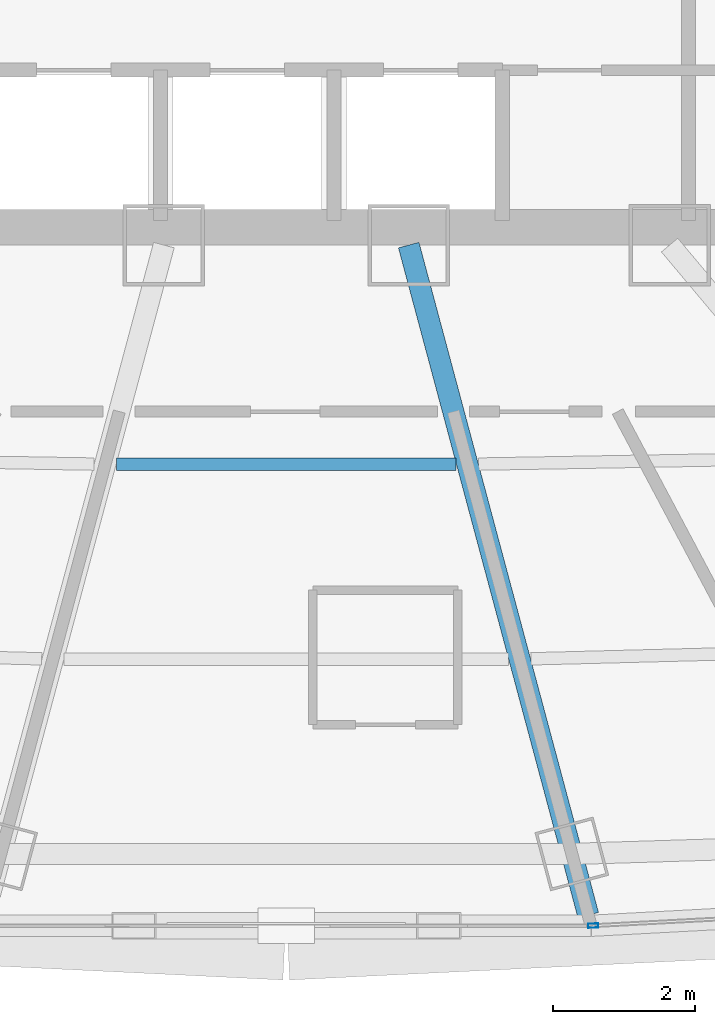
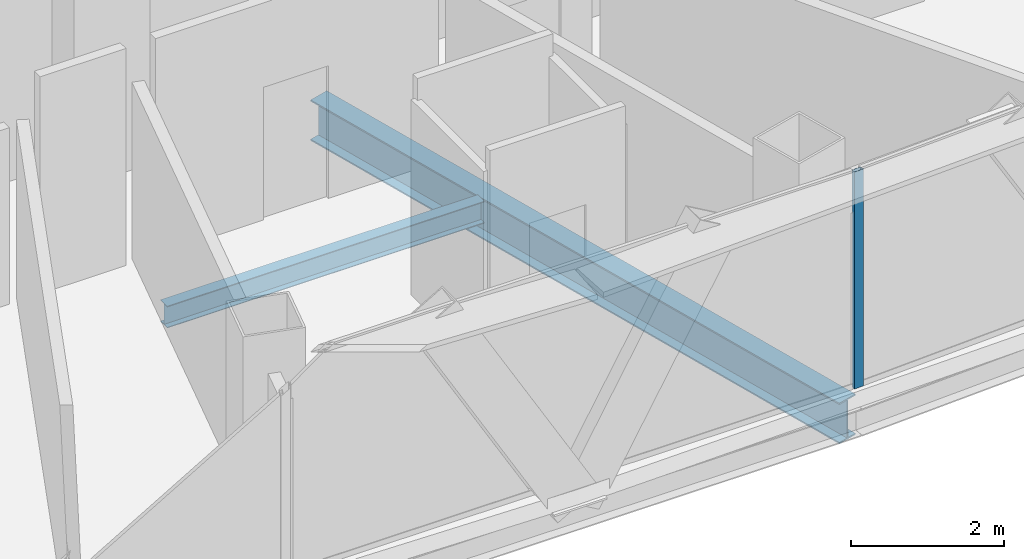
# One storey, part 10 of 36: 2 beams, 1 member, 1 element without a shape of its own.
"""IFC4 building model written with IfcOpenShell, lengths in metres."""

import ifcopenshell
import ifcopenshell.guid

model = None  # the IFC model being written
_history = None  # IfcOwnerHistory: only IFC2X3 demands one
_inside = {}  # id of a spatial element -> (the spatial element, [elements in it])
_under = {}  # id of a project, library or spatial element -> (it, [spatial elements below it])
_declared = {}  # id of a project -> (the project, [libraries it declares])
_typed = {}  # id of a type object -> (the type object, [elements of that type])
_made_of = {}  # id of a material, layer set ... -> (it, [elements and type objects made of it])


def new_model(schema):
    """Start an empty IFC model of exactly this schema.

    Asked for "IFC4X3", IfcOpenShell would pick the latest addendum, in which some entities
    have other attributes; the version numbers below select the first issue.
    IFC2X3 requires an IfcOwnerHistory on every rooted entity: one is made here for all.
    """
    global model, _history
    if schema == "IFC4X3":
        model = ifcopenshell.file(schema_version=(4, 3, 0, 0))
    else:
        model = ifcopenshell.file(schema=schema)
    _inside.clear()
    _under.clear()
    _declared.clear()
    _typed.clear()
    _made_of.clear()
    _history = None
    if model.schema == "IFC2X3":
        org = make("IfcOrganization", Name="unknown")
        user = make(
            "IfcPersonAndOrganization",
            ThePerson=make("IfcPerson", FamilyName="unknown"),
            TheOrganization=org,
        )
        app = make(
            "IfcApplication",
            ApplicationDeveloper=org,
            Version="unknown",
            ApplicationFullName="unknown",
            ApplicationIdentifier="unknown",
        )
        _history = make(
            "IfcOwnerHistory",
            OwningUser=user,
            OwningApplication=app,
            ChangeAction="ADDED",
            CreationDate=0,
        )
    return model


def make(cls, **values):
    """One entity of the class cls with the attributes given. An attribute that is None is left unset."""
    return model.create_entity(
        cls, **{name: value for name, value in values.items() if value is not None}
    )


def rooted(cls, **values):
    """An entity with a GlobalId (a new one), such as an element, a storey or a relation."""
    return make(cls, GlobalId=ifcopenshell.guid.new(), OwnerHistory=_history, **values)


def si_unit(unit_type, name, prefix=None):
    """IfcSIUnit, for example si_unit("LENGTHUNIT", "METRE", prefix="MILLI")."""
    return make("IfcSIUnit", UnitType=unit_type, Prefix=prefix, Name=name)


def assignment(units):
    """IfcUnitAssignment: the units of a project."""
    return None if units is None else make("IfcUnitAssignment", Units=units)


def point(xyz):
    """IfcCartesianPoint."""
    return None if xyz is None else make("IfcCartesianPoint", Coordinates=xyz)


def direction(xyz):
    """IfcDirection."""
    return None if xyz is None else make("IfcDirection", DirectionRatios=xyz)


def frame(location, z_axis=None, x_axis=None):
    """IfcAxis2Placement3D, a coordinate frame: its origin and axes. An axis left out is left unset."""
    return make(
        "IfcAxis2Placement3D",
        Location=point(location),
        Axis=direction(z_axis),
        RefDirection=direction(x_axis),
    )


def frame_2d(location, x_axis=None):
    """IfcAxis2Placement2D, a coordinate frame in the plane: its origin and x axis."""
    return make(
        "IfcAxis2Placement2D", Location=point(location), RefDirection=direction(x_axis)
    )


def origin():
    """The frame at (0, 0, 0) with its axes left unset."""
    return frame((0.0, 0.0, 0.0))


def origin_2d():
    """The frame at (0, 0) in the plane with its x axis left unset."""
    return frame_2d((0.0, 0.0))


def place(relative_to, where):
    """IfcLocalPlacement: puts the frame where relative to a parent placement (None: the world)."""
    return make(
        "IfcLocalPlacement", PlacementRelTo=relative_to, RelativePlacement=where
    )


def context(
    kind, dimensions, precision=None, world=None, true_north=None, identifier=None
):
    """IfcGeometricRepresentationContext, for example the 3D "Model" context."""
    return make(
        "IfcGeometricRepresentationContext",
        ContextIdentifier=identifier,
        ContextType=kind,
        CoordinateSpaceDimension=dimensions,
        Precision=precision,
        WorldCoordinateSystem=world,
        TrueNorth=true_north,
    )


def subcontext(parent, identifier, kind, view, scale=None):
    """IfcGeometricRepresentationSubContext, for example "Body" below "Model"."""
    return make(
        "IfcGeometricRepresentationSubContext",
        ContextIdentifier=identifier,
        ContextType=kind,
        ParentContext=parent,
        TargetScale=scale,
        TargetView=view,
    )


def project(units=None, contexts=None):
    """IfcProject with its units and contexts."""
    return rooted(
        "IfcProject",
        Name="project",
        RepresentationContexts=contexts,
        UnitsInContext=assignment(units),
    )


def spatial(cls, under=None, at=None, **own):
    """A site, building, storey or space (cls), placed at a placement, below another one or the project."""
    s = rooted(cls, ObjectPlacement=at, **own)
    if under is not None:
        _under.setdefault(under.id(), (under, []))[1].append(s)
    return s


def profile(cls, at=None, kind="AREA", **sizes):
    """A parametric profile (cls). Its sizes go by their IFC names, for example OverallWidth=200.0."""
    return make(cls, ProfileType=kind, Position=at, **sizes)


def hollow_rectangle(**sizes):
    """IfcRectangleHollowProfileDef."""
    return profile("IfcRectangleHollowProfileDef", **sizes)


def i_section(**sizes):
    """IfcIShapeProfileDef."""
    return profile("IfcIShapeProfileDef", **sizes)


def extrude(swept, where, along, depth):
    """IfcExtrudedAreaSolid: the profile swept, set in the frame where, extruded along a direction by depth."""
    return make(
        "IfcExtrudedAreaSolid",
        SweptArea=swept,
        Position=where,
        ExtrudedDirection=direction(along),
        Depth=depth,
    )


def shape(context_of_items, identifier, shape_type, items):
    """IfcShapeRepresentation: the items that make up one representation, for example the "Body"."""
    return make(
        "IfcShapeRepresentation",
        ContextOfItems=context_of_items,
        RepresentationIdentifier=identifier,
        RepresentationType=shape_type,
        Items=items,
    )


def source(mapping_origin, context_of_items, identifier, shape_type, items):
    """IfcRepresentationMap: a shape defined once, which mapped items show again and again."""
    return make(
        "IfcRepresentationMap",
        MappingOrigin=mapping_origin,
        MappedRepresentation=shape(context_of_items, identifier, shape_type, items),
    )


def transform(
    local_origin,
    x_axis=None,
    y_axis=None,
    z_axis=None,
    scale=None,
    scale2=None,
    scale3=None,
    uniform=True,
):
    """IfcCartesianTransformationOperator3D, or its non-uniform kind. x_axis, y_axis, z_axis: its Axis1, 2, 3."""
    if uniform:
        return make(
            "IfcCartesianTransformationOperator3D",
            Axis1=direction(x_axis),
            Axis2=direction(y_axis),
            LocalOrigin=point(local_origin),
            Scale=scale,
            Axis3=direction(z_axis),
        )
    return make(
        "IfcCartesianTransformationOperator3DnonUniform",
        Axis1=direction(x_axis),
        Axis2=direction(y_axis),
        LocalOrigin=point(local_origin),
        Scale=scale,
        Axis3=direction(z_axis),
        Scale2=scale2,
        Scale3=scale3,
    )


def mapped(mapping_source, mapping_target):
    """IfcMappedItem: shows the shape of a source again, moved by a transform."""
    return make(
        "IfcMappedItem", MappingSource=mapping_source, MappingTarget=mapping_target
    )


def material(Name=None, Category=None):
    """IfcMaterial."""
    return make("IfcMaterial", Name=Name, Category=Category)


def layer(
    of_material, thickness, ventilated=None, Name=None, Category=None, Priority=None
):
    """IfcMaterialLayer: one layer of a wall or slab, of a material (None: an air gap)."""
    return make(
        "IfcMaterialLayer",
        Material=of_material,
        LayerThickness=thickness,
        IsVentilated=ventilated,
        Name=Name,
        Category=Category,
        Priority=Priority,
    )


def layer_set(layers, Name=None):
    """IfcMaterialLayerSet."""
    return make("IfcMaterialLayerSet", MaterialLayers=layers, LayerSetName=Name)


def material_profile(
    of_material, cross_section, Name=None, Category=None, Priority=None
):
    """IfcMaterialProfile: a cross section and its material."""
    return make(
        "IfcMaterialProfile",
        Name=Name,
        Material=of_material,
        Profile=cross_section,
        Priority=Priority,
        Category=Category,
    )


def profile_set(profiles, Name=None, composite=None):
    """IfcMaterialProfileSet."""
    return make(
        "IfcMaterialProfileSet",
        Name=Name,
        MaterialProfiles=profiles,
        CompositeProfile=composite,
    )


def made_of(thing, what):
    """Note that an element or type object is made of a material, layer set ...; save() writes the relation."""
    if what is not None:
        _made_of.setdefault(what.id(), (what, []))[1].append(thing)
    return thing


def type_object(cls, material=None, **own):
    """A type object (cls), such as IfcWallType, which elements share."""
    return made_of(rooted(cls, **own), material)


def element(
    cls,
    number,
    at=None,
    inside=None,
    cuts=None,
    type_object=None,
    material=None,
    context=None,
    identifier="Body",
    shape_type=None,
    held_by="IfcProductDefinitionShape",
    body=None,
    shapes=None,
    **own,
):
    """One element of the class cls, such as IfcWall. Its Tag is "e" and its number.

    at: its placement. inside: the storey or other place that contains it. cuts: it is an
    opening in that element (IfcRelVoidsElement). A single representation is given by context,
    identifier, shape_type and body (its items); several are given by shapes. held_by: the class
    of the entity that holds the representations. save() writes the other relations.
    """
    e = rooted(cls, Tag="e%d" % number, ObjectPlacement=at, **own)
    if body is not None:
        shapes = [shape(context, identifier, shape_type, body)]
    if shapes is not None:
        e.Representation = make(held_by, Representations=shapes)
    if inside is not None:
        _inside.setdefault(inside.id(), (inside, []))[1].append(e)
    if cuts is not None:
        rooted(
            "IfcRelVoidsElement", RelatingBuildingElement=cuts, RelatedOpeningElement=e
        )
    if type_object is not None:
        _typed.setdefault(type_object.id(), (type_object, []))[1].append(e)
    return made_of(e, material)


def aggregate(whole, parts):
    """IfcRelAggregates: a whole, such as a stair, and the parts it consists of."""
    return rooted("IfcRelAggregates", RelatingObject=whole, RelatedObjects=parts)


def save(model, path):
    """Write the relations noted so far, then the file.

    IfcRelAggregates (storeys below a building ...), IfcRelContainedInSpatialStructure (elements
    in a storey), IfcRelDefinesByType, IfcRelAssociatesMaterial and IfcRelDeclares: one each for
    every whole, place, type object, material and project.
    """
    for whole, parts in _under.values():
        aggregate(whole, parts)
    for where, things in _inside.values():
        rooted(
            "IfcRelContainedInSpatialStructure",
            RelatedElements=things,
            RelatingStructure=where,
        )
    for kind, things in _typed.values():
        rooted("IfcRelDefinesByType", RelatedObjects=things, RelatingType=kind)
    for what, things in _made_of.values():
        rooted("IfcRelAssociatesMaterial", RelatedObjects=things, RelatingMaterial=what)
    for by, libraries in _declared.values():
        rooted("IfcRelDeclares", RelatingContext=by, RelatedDefinitions=libraries)
    model.write(path)


model = new_model("IFC4")

# Units and contexts
model_context = context("Model", 3, precision=1e-05, world=origin(), true_north=direction((0.0, 1.0)))
body_context = subcontext(model_context, "Body", "Model", "MODEL_VIEW")
ifc_project = project(units=[si_unit("LENGTHUNIT", "METRE"), si_unit("AREAUNIT", "SQUARE_METRE"), si_unit("VOLUMEUNIT", "CUBIC_METRE"), si_unit("PLANEANGLEUNIT", "RADIAN"), si_unit("MASSUNIT", "GRAM", prefix="KILO"), si_unit("THERMODYNAMICTEMPERATUREUNIT", "KELVIN"), si_unit("POWERUNIT", "WATT")], contexts=[model_context])

# Site, building, storey
site_placement = place(None, origin())
site = spatial("IfcSite", under=ifc_project, at=site_placement, CompositionType="ELEMENT")
building_placement = place(site_placement, origin())
building = spatial("IfcBuilding", under=site, at=building_placement, Name="Yunzhuo Pagoda Commons", CompositionType="ELEMENT")
storey_placement = place(building_placement, frame((0.0, 0.0, 263.179931640625)))
storey = spatial("IfcBuildingStorey", under=building, at=storey_placement, Name="L66", CompositionType="ELEMENT", Elevation=263.179931640625)

# Beams
ifc_material_1 = material(Name="Structural steel Q355B", Category="steel")
ifc_material_profile_1 = material_profile(ifc_material_1, i_section(OverallWidth=0.175048828125, OverallDepth=0.35009765625, WebThickness=0.007080078125, FlangeThickness=0.010986328125, at=origin_2d()), Name="Structural steel Q355B")
ifc_profile_set_1 = profile_set([ifc_material_profile_1], Name="Structural steel Q355B")
beam_type_1 = type_object("IfcBeamType", Name="B-JS2 Joist HN 350x175x7x11", PredefinedType="JOIST", material=ifc_profile_set_1)
shared_shape_1 = source(origin(), body_context, "Body", "SweptSolid", [
    extrude(i_section(OverallWidth=0.175048828125, OverallDepth=0.35009765625, WebThickness=0.007080078125, FlangeThickness=0.010986328125, at=origin_2d()), origin(), (0.0, 0.0, 1.0), 4.796875),
])
beam_1_placement = place(storey_placement, frame((45.601806640625, 24.155517578125, -0.434814453125), z_axis=(1.0, 0.0, 0.0), x_axis=(0.0, 1.0, 0.0)))
element("IfcBeam", 1, at=beam_1_placement, inside=storey, type_object=beam_type_1, Name="L66 composite ring joist 1.2", PredefinedType="JOIST", context=body_context, shape_type="MappedRepresentation", body=[
    mapped(shared_shape_1, transform((0.0, 0.0, 0.0), scale=1.0)),
])
ifc_material_profile_2 = material_profile(ifc_material_1, i_section(OverallWidth=0.300048828125, OverallDepth=0.64990234375, WebThickness=0.012939453125, FlangeThickness=0.02197265625, at=origin_2d()), Name="Structural steel Q355B")
ifc_profile_set_2 = profile_set([ifc_material_profile_2], Name="Structural steel Q355B")
beam_type_2 = type_object("IfcBeamType", Name="B-RG2 Beam HN 650x300x13x22", PredefinedType="BEAM", material=ifc_profile_set_2)
shared_shape_2 = source(origin(), body_context, "Body", "SweptSolid", [
    extrude(i_section(OverallWidth=0.300048828125, OverallDepth=0.64990234375, WebThickness=0.012939453125, FlangeThickness=0.02197265625, at=origin_2d()), origin(), (0.0, 0.0, 1.0), 9.794189453125),
])
beam_2_placement = place(storey_placement, frame((52.26318359375, 17.78955078125, -0.5849609375), z_axis=(-0.258795061761, 0.965932252287, 0.0), x_axis=(-0.965932252287, -0.258795061761, 0.0)))
element("IfcBeam", 2, at=beam_2_placement, inside=storey, type_object=beam_type_2, Name="L66 radial floor girder F1C3", PredefinedType="BEAM", context=body_context, shape_type="MappedRepresentation", body=[
    mapped(shared_shape_2, transform((0.0, 0.0, 0.0), scale=1.0)),
])

# Curtain wall, member
ifc_material_2 = material(Name="Anodized aluminium 6063-T6", Category="aluminium")
ifc_layer = layer(ifc_material_2, 0.139892578125)
ifc_layer_set = layer_set([ifc_layer], Name="Anodized aluminium 6063-T6")
curtain_wall_type = type_object("IfcCurtainWallType", Name="CW-HI High-Zone Ribbon Curtain Wall", PredefinedType="NOTDEFINED", material=ifc_layer_set)
curtain_wall_placement = place(storey_placement, origin())
curtain_wall = element("IfcCurtainWall", 3, at=curtain_wall_placement, inside=storey, type_object=curtain_wall_type, Name="L66 curtain wall CW-L66-F1B4", PredefinedType="NOTDEFINED")
ifc_material_profile_3 = material_profile(ifc_material_2, hollow_rectangle(XDim=0.06005859375, YDim=0.139892578125, WallThickness=0.00341796875, at=origin_2d()), Name="Anodized aluminium 6063-T6")
ifc_profile_set_3 = profile_set([ifc_material_profile_3], Name="Anodized aluminium 6063-T6")
member_type = type_object("IfcMemberType", Name="CW-HI-M Mullion RHS 140x60x3.5", PredefinedType="MULLION", material=ifc_profile_set_3)
shared_shape_3 = source(origin(), body_context, "Body", "SweptSolid", [
    extrude(hollow_rectangle(XDim=0.06005859375, YDim=0.139892578125, WallThickness=0.00341796875, at=origin_2d()), origin(), (0.0, 0.0, 1.0), 3.469970703125),
])
member_placement = place(storey_placement, frame((52.333251953125, 17.641357421875, 0.0), z_axis=(0.0, 0.0, 1.0), x_axis=(-0.053427477858, 0.998571732331, 0.0)))
member = element("IfcMember", 4, at=member_placement, type_object=member_type, Name="CW mullion 1", PredefinedType="MULLION", context=body_context, shape_type="MappedRepresentation", body=[
    mapped(shared_shape_3, transform((0.0, 0.0, 0.0), scale=1.0)),
])
aggregate(curtain_wall, [member])

save(model, "model.ifc")
